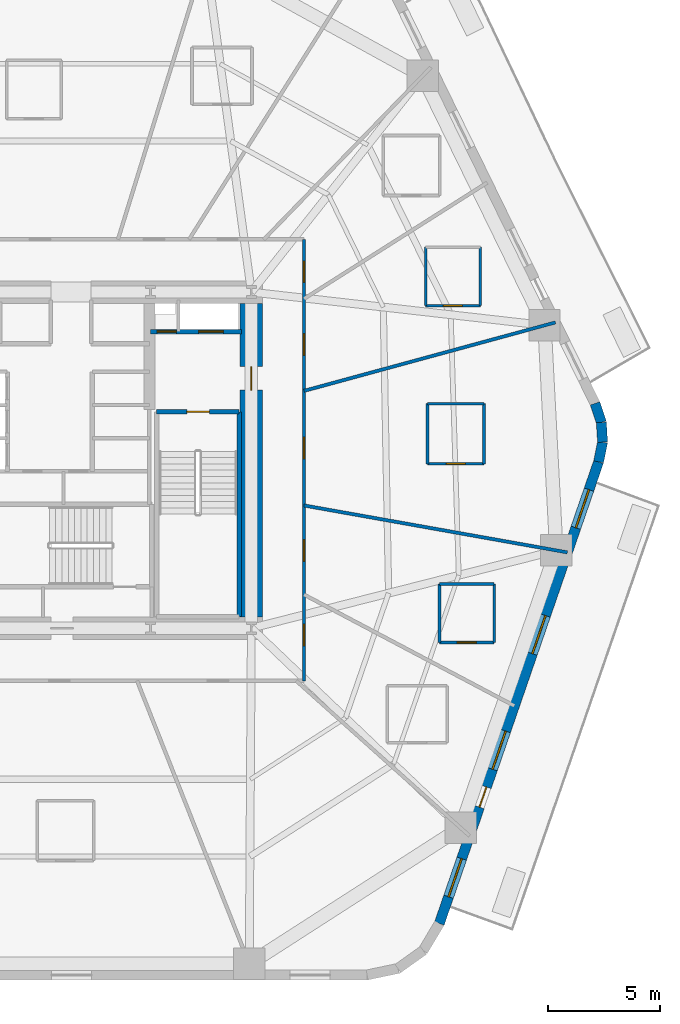
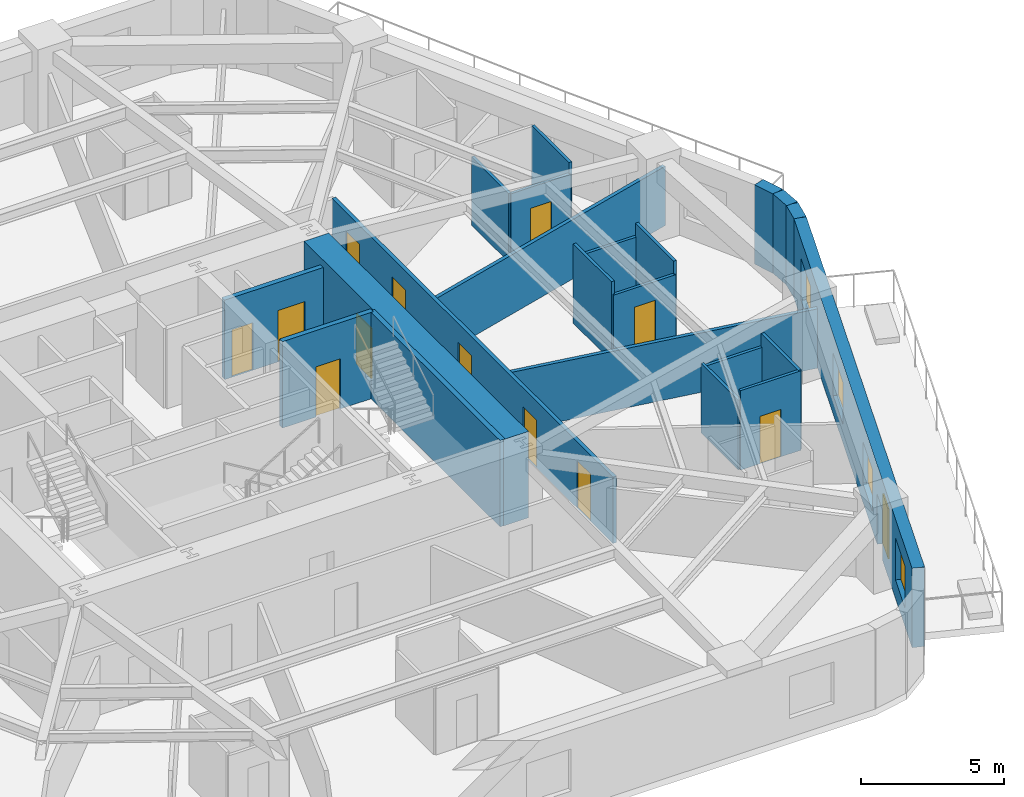
# One storey, part 5 of 10: 22 walls, 13 doors, 4 windows, 17 openings.
"""IFC4 building model written with IfcOpenShell, lengths in metres."""

from ifc_helpers import new_model, si_unit, direction, frame, frame_2d, origin, place, context, subcontext, project, spatial, rectangle, extrude, material, layer, layer_set, type_object, element, fill, save


model = new_model("IFC4")

# Units and contexts
model_context = context("Model", 3, precision=1e-05, world=origin(), true_north=direction((0.0, 1.0)))
body_context = subcontext(model_context, "Body", "Model", "MODEL_VIEW")
ifc_project = project(units=[si_unit("LENGTHUNIT", "METRE"), si_unit("AREAUNIT", "SQUARE_METRE"), si_unit("VOLUMEUNIT", "CUBIC_METRE"), si_unit("PLANEANGLEUNIT", "RADIAN"), si_unit("MASSUNIT", "GRAM", prefix="KILO")], contexts=[model_context])

# Site, building, storey
site_placement = place(None, origin())
site = spatial("IfcSite", under=ifc_project, at=site_placement, CompositionType="ELEMENT")
building_placement = place(site_placement, origin())
building = spatial("IfcBuilding", under=site, at=building_placement, Name="Kilnhurst Terrace Hotel", CompositionType="ELEMENT")
storey_placement = place(building_placement, frame((0.0, 0.0, 78.60009765625)))
storey = spatial("IfcBuildingStorey", under=building, at=storey_placement, Name="L18", CompositionType="ELEMENT", Elevation=78.60009765625)

# Walls
ifc_material_1 = material(Name="Precast concrete C40/50", Category="concrete")
ifc_layer_1 = layer(ifc_material_1, 0.449951171875, Name="Precast concrete C40/50")
ifc_layer_set_1 = layer_set([ifc_layer_1], Name="Precast concrete C40/50")
wall_type_1 = type_object("IfcWallType", Name="WL-BRK-450", PredefinedType="SOLIDWALL", material=ifc_layer_set_1)
wall_1_placement = place(storey_placement, frame((24.49560546875, -0.07666015625, 0.0), z_axis=(0.0, 0.0, 1.0), x_axis=(0.199570594521, 0.979883451132, 0.0)))
element("IfcWall", 1, at=wall_1_placement, inside=storey, type_object=wall_type_1, Name="L18 Rounded Corner Brick Wall C3.1", PredefinedType="SOLIDWALL", context=body_context, shape_type="SweptSolid", body=[
    extrude(rectangle(XDim=0.896728515625, YDim=0.449951171875, at=frame_2d((0.4482421875, 0.0))), origin(), (0.0, 0.0, 1.0), 3.39990234375),
])
wall_2_placement = place(storey_placement, frame((24.674560546875, 0.802001953125, 0.0), z_axis=(0.0, 0.0, 1.0), x_axis=(-0.061188874166, 0.998126205286, 0.0)))
element("IfcWall", 2, at=wall_2_placement, inside=storey, type_object=wall_type_1, Name="L18 Rounded Corner Brick Wall C3.2", PredefinedType="SOLIDWALL", context=body_context, shape_type="SweptSolid", body=[
    extrude(rectangle(XDim=0.8818359375, YDim=0.449951171875, at=frame_2d((0.44091796875, 0.0))), origin(), (0.0, 0.0, 1.0), 3.39990234375),
])
wall_3_placement = place(storey_placement, frame((24.62060546875, 1.68212890625, 0.0), z_axis=(0.0, 0.0, 1.0), x_axis=(-0.317697451681, 0.948192137278, 0.0)))
element("IfcWall", 3, at=wall_3_placement, inside=storey, type_object=wall_type_1, Name="L18 Rounded Corner Brick Wall C3.3", PredefinedType="SOLIDWALL", context=body_context, shape_type="SweptSolid", body=[
    extrude(rectangle(XDim=0.896728515625, YDim=0.449951171875, at=frame_2d((0.4482421875, 0.0))), origin(), (0.0, 0.0, 1.0), 3.39990234375),
])

# Wall, openings, door, windows
wall_4_placement = place(storey_placement, frame((17.3896484375, -20.678466796875, 0.0), z_axis=(0.0, 0.0, 1.0), x_axis=(0.326068018294, 0.945346310854, 0.0)))
wall_4 = element("IfcWall", 4, at=wall_4_placement, inside=storey, type_object=wall_type_1, Name="L18 Exterior Brick Facade Wall F2", PredefinedType="SOLIDWALL", context=body_context, shape_type="SweptSolid", body=[
    extrude(rectangle(XDim=21.79296875, YDim=0.449951171875, at=frame_2d((10.896484375, 0.0))), origin(), (0.0, 0.0, 1.0), 3.39990234375),
])
opening_1_placement = place(wall_4_placement, frame((5.492919921875, 0.0, 0.0)))
opening_1 = element("IfcOpeningElement", 5, at=opening_1_placement, cuts=wall_4, Name="Opening BD-950", PredefinedType="OPENING", context=body_context, shape_type="SweptSolid", body=[
    extrude(rectangle(XDim=0.949951171875, YDim=2.14990234375, at=frame_2d((0.47509765625, 1.074951171875))), frame((0.0, 0.23486328125, 0.0), z_axis=(0.0, -1.0, 0.0), x_axis=(1.0, 0.0, 0.0)), (0.0, 0.0, 1.0), 0.469970703125),
])
opening_2_placement = place(wall_4_placement, frame((1.260009765625, 0.0, 0.800048828125)))
opening_2 = element("IfcOpeningElement", 6, at=opening_2_placement, cuts=wall_4, Name="Opening W-01", PredefinedType="OPENING", context=body_context, shape_type="SweptSolid", body=[
    extrude(rectangle(XDim=1.800048828125, YDim=1.800048828125, at=frame_2d((0.89990234375, 0.89990234375))), frame((0.0, 0.23486328125, 0.0), z_axis=(0.0, -1.0, 0.0), x_axis=(1.0, 0.0, 0.0)), (0.0, 0.0, 1.0), 0.469970703125),
])
opening_3_placement = place(wall_4_placement, frame((7.282958984375, 0.0, 0.800048828125)))
opening_3 = element("IfcOpeningElement", 7, at=opening_3_placement, cuts=wall_4, Name="Opening W-01", PredefinedType="OPENING", context=body_context, shape_type="SweptSolid", body=[
    extrude(rectangle(XDim=1.800048828125, YDim=1.800048828125, at=frame_2d((0.89990234375, 0.89990234375))), frame((0.0, 0.23486328125, 0.0), z_axis=(0.0, -1.0, 0.0), x_axis=(1.0, 0.0, 0.0)), (0.0, 0.0, 1.0), 0.469970703125),
])
opening_4_placement = place(wall_4_placement, frame((12.736083984375, 0.0, 0.800048828125)))
opening_4 = element("IfcOpeningElement", 8, at=opening_4_placement, cuts=wall_4, Name="Opening W-01", PredefinedType="OPENING", context=body_context, shape_type="SweptSolid", body=[
    extrude(rectangle(XDim=1.800048828125, YDim=1.800048828125, at=frame_2d((0.89990234375, 0.89990234375))), frame((0.0, 0.23486328125, 0.0), z_axis=(0.0, -1.0, 0.0), x_axis=(1.0, 0.0, 0.0)), (0.0, 0.0, 1.0), 0.469970703125),
])
opening_5_placement = place(wall_4_placement, frame((18.679931640625, 0.0, 0.800048828125)))
opening_5 = element("IfcOpeningElement", 9, at=opening_5_placement, cuts=wall_4, Name="Opening W-01", PredefinedType="OPENING", context=body_context, shape_type="SweptSolid", body=[
    extrude(rectangle(XDim=1.800048828125, YDim=1.800048828125, at=frame_2d((0.89990234375, 0.89990234375))), frame((0.0, 0.23486328125, 0.0), z_axis=(0.0, -1.0, 0.0), x_axis=(1.0, 0.0, 0.0)), (0.0, 0.0, 1.0), 0.469970703125),
])
ifc_material_2 = material(Name="Thermally Broken Bronze Aluminium Alloy 6063-T6 and Laminated Glass", Category="aluminium")
door_type_1 = type_object("IfcDoorType", Name="DR-EXT-BAL-950", OperationType="NOTDEFINED", PredefinedType="DOOR", material=ifc_material_2)
door_1_placement = place(opening_1_placement, origin())
door_1 = element("IfcDoor", 10, at=door_1_placement, inside=storey, type_object=door_type_1, Name="L18 Planted Balcony Door BAL-L1A", OperationType="SINGLE_SWING_RIGHT", OverallHeight=2.14990234375, OverallWidth=0.949951171875, PredefinedType="DOOR", context=body_context, shape_type="SweptSolid", body=[
    extrude(rectangle(XDim=0.949951171875, YDim=2.14990234375, at=frame_2d((0.47509765625, 1.074951171875))), frame((0.0, 0.02490234375, 0.0), z_axis=(0.0, -1.0, 0.0), x_axis=(1.0, 0.0, 0.0)), (0.0, 0.0, 1.0), 0.050048828125),
])
fill(opening_1, door_1)
ifc_material_3 = material(Name="Thermally Broken Bronze Aluminium Alloy 6063-T6 and Low-E Glass", Category="aluminium")
window_type = type_object("IfcWindowType", Name="WIN-1800X1800", PartitioningType="SINGLE_PANEL", PredefinedType="WINDOW", material=ifc_material_3)
window_1_placement = place(opening_2_placement, origin())
window_1 = element("IfcWindow", 11, at=window_1_placement, inside=storey, type_object=window_type, Name="L18 Deep-Set Masonry Window F2.1", OverallHeight=1.800048828125, OverallWidth=1.800048828125, PartitioningType="SINGLE_PANEL", PredefinedType="WINDOW", context=body_context, shape_type="SweptSolid", body=[
    extrude(rectangle(XDim=1.800048828125, YDim=1.800048828125, at=frame_2d((0.89990234375, 0.89990234375))), frame((0.0, 0.030029296875, 0.0), z_axis=(0.0, -1.0, 0.0), x_axis=(1.0, 0.0, 0.0)), (0.0, 0.0, 1.0), 0.06005859375),
])
fill(opening_2, window_1)
window_2_placement = place(opening_3_placement, origin())
window_2 = element("IfcWindow", 12, at=window_2_placement, inside=storey, type_object=window_type, Name="L18 Deep-Set Masonry Window F2.2", OverallHeight=1.800048828125, OverallWidth=1.800048828125, PartitioningType="SINGLE_PANEL", PredefinedType="WINDOW", context=body_context, shape_type="SweptSolid", body=[
    extrude(rectangle(XDim=1.800048828125, YDim=1.800048828125, at=frame_2d((0.89990234375, 0.89990234375))), frame((0.0, 0.030029296875, 0.0), z_axis=(0.0, -1.0, 0.0), x_axis=(1.0, 0.0, 0.0)), (0.0, 0.0, 1.0), 0.06005859375),
])
fill(opening_3, window_2)
window_3_placement = place(opening_4_placement, origin())
window_3 = element("IfcWindow", 13, at=window_3_placement, inside=storey, type_object=window_type, Name="L18 Deep-Set Masonry Window F2.3", OverallHeight=1.800048828125, OverallWidth=1.800048828125, PartitioningType="SINGLE_PANEL", PredefinedType="WINDOW", context=body_context, shape_type="SweptSolid", body=[
    extrude(rectangle(XDim=1.800048828125, YDim=1.800048828125, at=frame_2d((0.89990234375, 0.89990234375))), frame((0.0, 0.030029296875, 0.0), z_axis=(0.0, -1.0, 0.0), x_axis=(1.0, 0.0, 0.0)), (0.0, 0.0, 1.0), 0.06005859375),
])
fill(opening_4, window_3)
window_4_placement = place(opening_5_placement, origin())
window_4 = element("IfcWindow", 14, at=window_4_placement, inside=storey, type_object=window_type, Name="L18 Deep-Set Masonry Window F2.4", OverallHeight=1.800048828125, OverallWidth=1.800048828125, PartitioningType="SINGLE_PANEL", PredefinedType="WINDOW", context=body_context, shape_type="SweptSolid", body=[
    extrude(rectangle(XDim=1.800048828125, YDim=1.800048828125, at=frame_2d((0.89990234375, 0.89990234375))), frame((0.0, 0.030029296875, 0.0), z_axis=(0.0, -1.0, 0.0), x_axis=(1.0, 0.0, 0.0)), (0.0, 0.0, 1.0), 0.06005859375),
])
fill(opening_5, window_4)

# Wall, openings, doors
ifc_material_4 = material(Name="Acoustic Double-Gypsum Corridor Partition Assembly")
ifc_layer_2 = layer(ifc_material_4, 0.14990234375, Name="Acoustic Double-Gypsum Corridor Partition Assembly")
ifc_layer_set_2 = layer_set([ifc_layer_2], Name="Acoustic Double-Gypsum Corridor Partition Assembly")
wall_type_2 = type_object("IfcWallType", Name="WL-COR-150", PredefinedType="PARTITIONING", material=ifc_layer_set_2)
wall_5_placement = place(storey_placement, frame((11.35009765625, 9.85009765625, 0.0), z_axis=(0.0, 0.0, 1.0), x_axis=(0.0, -1.0, 0.0)))
wall_5 = element("IfcWall", 15, at=wall_5_placement, inside=storey, type_object=wall_type_2, Name="L18 Interior Wall WL-L18-COR-03", PredefinedType="PARTITIONING", context=body_context, shape_type="SweptSolid", body=[
    extrude(rectangle(XDim=19.7001953125, YDim=0.14990234375, at=frame_2d((9.85009765625, 0.0))), origin(), (0.0, 0.0, 1.0), 2.83984375),
])
opening_6_placement = place(wall_5_placement, frame((4.2080078125, 0.0, 0.0)))
opening_6 = element("IfcOpeningElement", 16, at=opening_6_placement, cuts=wall_5, Name="Opening D-60B", PredefinedType="OPENING", context=body_context, shape_type="SweptSolid", body=[
    extrude(rectangle(XDim=0.949951171875, YDim=2.030029296875, at=frame_2d((0.47509765625, 1.01513671875))), frame((0.0, 0.0849609375, 0.0), z_axis=(0.0, -1.0, 0.0), x_axis=(1.0, 0.0, 0.0)), (0.0, 0.0, 1.0), 0.169921875),
])
opening_7_placement = place(wall_5_placement, frame((0.969970703125, 0.0, 0.0)))
opening_7 = element("IfcOpeningElement", 17, at=opening_7_placement, cuts=wall_5, Name="Opening D-60B", PredefinedType="OPENING", context=body_context, shape_type="SweptSolid", body=[
    extrude(rectangle(XDim=0.949951171875, YDim=2.030029296875, at=frame_2d((0.47509765625, 1.01513671875))), frame((0.0, 0.0849609375, 0.0), z_axis=(0.0, -1.0, 0.0), x_axis=(1.0, 0.0, 0.0)), (0.0, 0.0, 1.0), 0.169921875),
])
opening_8_placement = place(wall_5_placement, frame((17.180908203125, 0.0, 0.0)))
opening_8 = element("IfcOpeningElement", 18, at=opening_8_placement, cuts=wall_5, Name="Opening D-60B", PredefinedType="OPENING", context=body_context, shape_type="SweptSolid", body=[
    extrude(rectangle(XDim=0.949951171875, YDim=2.030029296875, at=frame_2d((0.47509765625, 1.01513671875))), frame((0.0, 0.0849609375, 0.0), z_axis=(0.0, -1.0, 0.0), x_axis=(1.0, 0.0, 0.0)), (0.0, 0.0, 1.0), 0.169921875),
])
opening_9_placement = place(wall_5_placement, frame((13.403076171875, 0.0, 0.0)))
opening_9 = element("IfcOpeningElement", 19, at=opening_9_placement, cuts=wall_5, Name="Opening D-60B", PredefinedType="OPENING", context=body_context, shape_type="SweptSolid", body=[
    extrude(rectangle(XDim=0.949951171875, YDim=2.030029296875, at=frame_2d((0.47509765625, 1.01513671875))), frame((0.0, 0.0849609375, 0.0), z_axis=(0.0, -1.0, 0.0), x_axis=(1.0, 0.0, 0.0)), (0.0, 0.0, 1.0), 0.169921875),
])
opening_10_placement = place(wall_5_placement, frame((8.837890625, 0.0, 0.0)))
opening_10 = element("IfcOpeningElement", 20, at=opening_10_placement, cuts=wall_5, Name="Opening D-60B", PredefinedType="OPENING", context=body_context, shape_type="SweptSolid", body=[
    extrude(rectangle(XDim=0.949951171875, YDim=2.030029296875, at=frame_2d((0.47509765625, 1.01513671875))), frame((0.0, 0.0849609375, 0.0), z_axis=(0.0, -1.0, 0.0), x_axis=(1.0, 0.0, 0.0)), (0.0, 0.0, 1.0), 0.169921875),
])
ifc_material_5 = material(Name="Acoustic Walnut Veneer Solid-Core Fire Door")
door_type_2 = type_object("IfcDoorType", Name="DR-FD60-950", OperationType="NOTDEFINED", PredefinedType="DOOR", material=ifc_material_5)
door_2_placement = place(opening_6_placement, origin())
door_2 = element("IfcDoor", 21, at=door_2_placement, inside=storey, type_object=door_type_2, Name="L18 Guest Room Entry Door 1", OperationType="SINGLE_SWING_LEFT", OverallHeight=2.030029296875, OverallWidth=0.949951171875, PredefinedType="DOOR", context=body_context, shape_type="SweptSolid", body=[
    extrude(rectangle(XDim=0.949951171875, YDim=2.030029296875, at=frame_2d((0.47509765625, 1.01513671875))), frame((0.0, 0.02490234375, 0.0), z_axis=(0.0, -1.0, 0.0), x_axis=(1.0, 0.0, 0.0)), (0.0, 0.0, 1.0), 0.050048828125),
])
fill(opening_6, door_2)
door_3_placement = place(opening_7_placement, origin())
door_3 = element("IfcDoor", 22, at=door_3_placement, inside=storey, type_object=door_type_2, Name="L18 Guest Room Entry Door 2", OperationType="SINGLE_SWING_RIGHT", OverallHeight=2.030029296875, OverallWidth=0.949951171875, PredefinedType="DOOR", context=body_context, shape_type="SweptSolid", body=[
    extrude(rectangle(XDim=0.949951171875, YDim=2.030029296875, at=frame_2d((0.47509765625, 1.01513671875))), frame((0.0, 0.02490234375, 0.0), z_axis=(0.0, -1.0, 0.0), x_axis=(1.0, 0.0, 0.0)), (0.0, 0.0, 1.0), 0.050048828125),
])
fill(opening_7, door_3)
door_4_placement = place(opening_8_placement, origin())
door_4 = element("IfcDoor", 23, at=door_4_placement, inside=storey, type_object=door_type_2, Name="L18 Guest Room Entry Door 16", OperationType="SINGLE_SWING_RIGHT", OverallHeight=2.030029296875, OverallWidth=0.949951171875, PredefinedType="DOOR", context=body_context, shape_type="SweptSolid", body=[
    extrude(rectangle(XDim=0.949951171875, YDim=2.030029296875, at=frame_2d((0.47509765625, 1.01513671875))), frame((0.0, 0.02490234375, 0.0), z_axis=(0.0, -1.0, 0.0), x_axis=(1.0, 0.0, 0.0)), (0.0, 0.0, 1.0), 0.050048828125),
])
fill(opening_8, door_4)
door_5_placement = place(opening_9_placement, origin())
door_5 = element("IfcDoor", 24, at=door_5_placement, inside=storey, type_object=door_type_2, Name="L18 Guest Room Entry Door 17", OperationType="SINGLE_SWING_LEFT", OverallHeight=2.030029296875, OverallWidth=0.949951171875, PredefinedType="DOOR", context=body_context, shape_type="SweptSolid", body=[
    extrude(rectangle(XDim=0.949951171875, YDim=2.030029296875, at=frame_2d((0.47509765625, 1.01513671875))), frame((0.0, 0.02490234375, 0.0), z_axis=(0.0, -1.0, 0.0), x_axis=(1.0, 0.0, 0.0)), (0.0, 0.0, 1.0), 0.050048828125),
])
fill(opening_9, door_5)
door_6_placement = place(opening_10_placement, origin())
door_6 = element("IfcDoor", 25, at=door_6_placement, inside=storey, type_object=door_type_2, Name="L18 Executive Suite Entry Door 18", OperationType="SINGLE_SWING_RIGHT", OverallHeight=2.030029296875, OverallWidth=0.949951171875, PredefinedType="DOOR", context=body_context, shape_type="SweptSolid", body=[
    extrude(rectangle(XDim=0.949951171875, YDim=2.030029296875, at=frame_2d((0.47509765625, 1.01513671875))), frame((0.0, 0.02490234375, 0.0), z_axis=(0.0, -1.0, 0.0), x_axis=(1.0, 0.0, 0.0)), (0.0, 0.0, 1.0), 0.050048828125),
])
fill(opening_10, door_6)

# Wall, opening, door
ifc_material_6 = material(Name="Concrete C80/95", Category="concrete")
ifc_layer_3 = layer(ifc_material_6, 1.0, Name="Concrete C80/95")
ifc_layer_set_3 = layer_set([ifc_layer_3], Name="Concrete C80/95")
wall_type_3 = type_object("IfcWallType", Name="WL-CORE-1000", PredefinedType="SHEAR", material=ifc_layer_set_3)
wall_6_placement = place(storey_placement, frame((9.0, -7.0, 0.0), z_axis=(0.0, 0.0, 1.0), x_axis=(0.0, 1.0, 0.0)))
wall_6 = element("IfcWall", 26, at=wall_6_placement, inside=storey, type_object=wall_type_3, Name="L18 Core East Shear Wall", PredefinedType="SHEAR", context=body_context, shape_type="SweptSolid", body=[
    extrude(rectangle(XDim=14.0, YDim=1.0, at=frame_2d((7.0, 0.0))), origin(), (0.0, 0.0, 1.0), 3.699951171875),
])
opening_11_placement = place(wall_6_placement, frame((10.125, 0.0, 0.0)))
opening_11 = element("IfcOpeningElement", 27, at=opening_11_placement, cuts=wall_6, Name="Opening D-90A", PredefinedType="OPENING", context=body_context, shape_type="SweptSolid", body=[
    extrude(rectangle(XDim=1.050048828125, YDim=2.14990234375, at=frame_2d((0.52490234375, 1.074951171875))), frame((0.0, 0.510009765625, 0.0), z_axis=(0.0, -1.0, 0.0), x_axis=(1.0, 0.0, 0.0)), (0.0, 0.0, 1.0), 1.02001953125),
])
ifc_material_7 = material(Name="Painted Hollow Metal Steel ASTM A36 Fire Door", Category="steel")
door_type_3 = type_object("IfcDoorType", Name="DR-FD90-1050", OperationType="NOTDEFINED", PredefinedType="DOOR", material=ifc_material_7)
door_7_placement = place(opening_11_placement, origin())
door_7 = element("IfcDoor", 28, at=door_7_placement, inside=storey, type_object=door_type_3, Name="L18 East Firefighting Lobby Door", OperationType="SINGLE_SWING_LEFT", OverallHeight=2.14990234375, OverallWidth=1.050048828125, PredefinedType="DOOR", context=body_context, shape_type="SweptSolid", body=[
    extrude(rectangle(XDim=1.050048828125, YDim=2.14990234375, at=frame_2d((0.52490234375, 1.074951171875))), frame((0.0, 0.02490234375, 0.0), z_axis=(0.0, -1.0, 0.0), x_axis=(1.0, 0.0, 0.0)), (0.0, 0.0, 1.0), 0.050048828125),
])
fill(opening_11, door_7)

# Walls
ifc_material_8 = material(Name="STC-58 Acoustic Twin-Frame Guestroom Demising Partition")
ifc_layer_4 = layer(ifc_material_8, 0.14990234375, Name="STC-58 Acoustic Twin-Frame Guestroom Demising Partition")
ifc_layer_set_4 = layer_set([ifc_layer_4], Name="STC-58 Acoustic Twin-Frame Guestroom Demising Partition")
wall_type_4 = type_object("IfcWallType", Name="WL-DEM-150", PredefinedType="PARTITIONING", material=ifc_layer_set_4)
wall_7_placement = place(storey_placement, frame((11.35009765625, 3.0908203125, 0.0), z_axis=(0.0, 0.0, 1.0), x_axis=(0.964859685283, 0.262765651704, 0.0)))
element("IfcWall", 29, at=wall_7_placement, inside=storey, type_object=wall_type_4, Name="L18 Interior Wall WL-L18-DEM-COL01-01-1", PredefinedType="PARTITIONING", context=body_context, shape_type="SweptSolid", body=[
    extrude(rectangle(XDim=11.62890625, YDim=0.14990234375, at=frame_2d((5.814453125, 0.0))), origin(), (0.0, 0.0, 1.0), 2.539794921875),
])
wall_8_placement = place(storey_placement, frame((11.35009765625, -2.022705078125, 0.0), z_axis=(0.0, 0.0, 1.0), x_axis=(0.984493741877, -0.17541970301, 0.0)))
element("IfcWall", 30, at=wall_8_placement, inside=storey, type_object=wall_type_4, Name="L18 Interior Wall WL-L18-DEM-COL12-18-1", PredefinedType="PARTITIONING", context=body_context, shape_type="SweptSolid", body=[
    extrude(rectangle(XDim=11.93701171875, YDim=0.14990234375, at=frame_2d((5.968505859375, 0.0))), origin(), (0.0, 0.0, 1.0), 2.539794921875),
])

# Wall, opening, door
ifc_material_9 = material(Name="120 mm Moisture-Resistant Tile-Backed Bathroom Partition")
ifc_layer_5 = layer(ifc_material_9, 0.1201171875, Name="120 mm Moisture-Resistant Tile-Backed Bathroom Partition")
ifc_layer_set_5 = layer_set([ifc_layer_5], Name="120 mm Moisture-Resistant Tile-Backed Bathroom Partition")
wall_type_5 = type_object("IfcWallType", Name="WL-PART-120", PredefinedType="PARTITIONING", material=ifc_layer_set_5)
wall_9_placement = place(storey_placement, frame((16.77587890625, 6.89208984375, 0.0), z_axis=(0.0, 0.0, 1.0), x_axis=(1.0, 0.0, 0.0)))
wall_9 = element("IfcWall", 31, at=wall_9_placement, inside=storey, type_object=wall_type_5, Name="L18 Interior Wall WL-L18-BTH-01-1", PredefinedType="PARTITIONING", context=body_context, shape_type="SweptSolid", body=[
    extrude(rectangle(XDim=2.440185546875, YDim=0.1201171875, at=frame_2d((1.22021484375, 0.0))), origin(), (0.0, 0.0, 1.0), 2.926513671875),
])
opening_12_placement = place(wall_9_placement, frame((0.794921875, 0.0, 0.0)))
opening_12 = element("IfcOpeningElement", 32, at=opening_12_placement, cuts=wall_9, Name="Opening D-08A", PredefinedType="OPENING", context=body_context, shape_type="SweptSolid", body=[
    extrude(rectangle(XDim=0.85009765625, YDim=2.030029296875, at=frame_2d((0.425048828125, 1.01513671875))), frame((0.0, 0.070068359375, 0.0), z_axis=(0.0, -1.0, 0.0), x_axis=(1.0, 0.0, 0.0)), (0.0, 0.0, 1.0), 0.14013671875),
])
ifc_material_10 = material(Name="Moisture-Resistant Lacquered En-suite Bathroom Door")
door_type_4 = type_object("IfcDoorType", Name="DR-INT-850", OperationType="NOTDEFINED", PredefinedType="DOOR", material=ifc_material_10)
door_8_placement = place(opening_12_placement, origin())
door_8 = element("IfcDoor", 33, at=door_8_placement, inside=storey, type_object=door_type_4, Name="L18 En-suite Bathroom Door 1", OperationType="SINGLE_SWING_RIGHT", OverallHeight=2.030029296875, OverallWidth=0.85009765625, PredefinedType="DOOR", context=body_context, shape_type="SweptSolid", body=[
    extrude(rectangle(XDim=0.85009765625, YDim=2.030029296875, at=frame_2d((0.425048828125, 1.01513671875))), frame((0.0, 0.02490234375, 0.0), z_axis=(0.0, -1.0, 0.0), x_axis=(1.0, 0.0, 0.0)), (0.0, 0.0, 1.0), 0.050048828125),
])
fill(opening_12, door_8)

# Walls
wall_10_placement = place(storey_placement, frame((19.216064453125, 6.89208984375, 0.0), z_axis=(0.0, 0.0, 1.0), x_axis=(0.0, 1.0, 0.0)))
element("IfcWall", 34, at=wall_10_placement, inside=storey, type_object=wall_type_5, Name="L18 Interior Wall WL-L18-BTH-01-2", PredefinedType="PARTITIONING", context=body_context, shape_type="SweptSolid", body=[
    extrude(rectangle(XDim=2.60986328125, YDim=0.1201171875, at=frame_2d((1.304931640625, 0.0))), origin(), (0.0, 0.0, 1.0), 3.39990234375),
])
wall_11_placement = place(storey_placement, frame((16.77587890625, 9.501953125, 0.0), z_axis=(0.0, 0.0, 1.0), x_axis=(0.0, -1.0, 0.0)))
element("IfcWall", 35, at=wall_11_placement, inside=storey, type_object=wall_type_5, Name="L18 Interior Wall WL-L18-BTH-01-4", PredefinedType="PARTITIONING", context=body_context, shape_type="SweptSolid", body=[
    extrude(rectangle(XDim=2.60986328125, YDim=0.1201171875, at=frame_2d((1.304931640625, 0.0))), origin(), (0.0, 0.0, 1.0), 2.926513671875),
])

# Wall, opening, door
wall_12_placement = place(storey_placement, frame((17.39404296875, -8.137939453125, 0.0), z_axis=(0.0, 0.0, 1.0), x_axis=(1.0, 0.0, 0.0)))
wall_12 = element("IfcWall", 36, at=wall_12_placement, inside=storey, type_object=wall_type_5, Name="L18 Interior Wall WL-L18-BTH-17-1", PredefinedType="PARTITIONING", context=body_context, shape_type="SweptSolid", body=[
    extrude(rectangle(XDim=2.43994140625, YDim=0.1201171875, at=frame_2d((1.219970703125, 0.0))), origin(), (0.0, 0.0, 1.0), 3.39990234375),
])
opening_13_placement = place(wall_12_placement, frame((0.794921875, 0.0, 0.0)))
opening_13 = element("IfcOpeningElement", 37, at=opening_13_placement, cuts=wall_12, Name="Opening D-08A", PredefinedType="OPENING", context=body_context, shape_type="SweptSolid", body=[
    extrude(rectangle(XDim=0.85009765625, YDim=2.030029296875, at=frame_2d((0.425048828125, 1.01513671875))), frame((0.0, 0.070068359375, 0.0), z_axis=(0.0, -1.0, 0.0), x_axis=(1.0, 0.0, 0.0)), (0.0, 0.0, 1.0), 0.14013671875),
])
door_9_placement = place(opening_13_placement, origin())
door_9 = element("IfcDoor", 38, at=door_9_placement, inside=storey, type_object=door_type_4, Name="L18 En-suite Bathroom Door 17", OperationType="SINGLE_SWING_RIGHT", OverallHeight=2.030029296875, OverallWidth=0.85009765625, PredefinedType="DOOR", context=body_context, shape_type="SweptSolid", body=[
    extrude(rectangle(XDim=0.85009765625, YDim=2.030029296875, at=frame_2d((0.425048828125, 1.01513671875))), frame((0.0, 0.02490234375, 0.0), z_axis=(0.0, -1.0, 0.0), x_axis=(1.0, 0.0, 0.0)), (0.0, 0.0, 1.0), 0.050048828125),
])
fill(opening_13, door_9)

# Walls
wall_13_placement = place(storey_placement, frame((19.833984375, -8.137939453125, 0.0), z_axis=(0.0, 0.0, 1.0), x_axis=(0.0, 1.0, 0.0)))
element("IfcWall", 39, at=wall_13_placement, inside=storey, type_object=wall_type_5, Name="L18 Interior Wall WL-L18-BTH-17-2", PredefinedType="PARTITIONING", context=body_context, shape_type="SweptSolid", body=[
    extrude(rectangle(XDim=2.60986328125, YDim=0.1201171875, at=frame_2d((1.304931640625, 0.0))), origin(), (0.0, 0.0, 1.0), 3.39990234375),
])
wall_14_placement = place(storey_placement, frame((19.833984375, -5.528076171875, 0.0), z_axis=(0.0, 0.0, 1.0), x_axis=(-1.0, 0.0, 0.0)))
element("IfcWall", 40, at=wall_14_placement, inside=storey, type_object=wall_type_5, Name="L18 Interior Wall WL-L18-BTH-17-3", PredefinedType="PARTITIONING", context=body_context, shape_type="SweptSolid", body=[
    extrude(rectangle(XDim=2.43994140625, YDim=0.1201171875, at=frame_2d((1.219970703125, 0.0))), origin(), (0.0, 0.0, 1.0), 2.83984375),
])
wall_15_placement = place(storey_placement, frame((17.39404296875, -5.528076171875, 0.0), z_axis=(0.0, 0.0, 1.0), x_axis=(0.0, -1.0, 0.0)))
element("IfcWall", 41, at=wall_15_placement, inside=storey, type_object=wall_type_5, Name="L18 Interior Wall WL-L18-BTH-17-4", PredefinedType="PARTITIONING", context=body_context, shape_type="SweptSolid", body=[
    extrude(rectangle(XDim=2.60986328125, YDim=0.1201171875, at=frame_2d((1.304931640625, 0.0))), origin(), (0.0, 0.0, 1.0), 2.97216796875),
])

# Wall, opening, door
wall_16_placement = place(storey_placement, frame((16.864990234375, -0.162109375, 0.0), z_axis=(0.0, 0.0, 1.0), x_axis=(1.0, 0.0, 0.0)))
wall_16 = element("IfcWall", 42, at=wall_16_placement, inside=storey, type_object=wall_type_5, Name="L18 Interior Wall WL-L18-BTH-18-1", PredefinedType="PARTITIONING", context=body_context, shape_type="SweptSolid", body=[
    extrude(rectangle(XDim=2.52001953125, YDim=0.1201171875, at=frame_2d((1.260009765625, 0.0))), origin(), (0.0, 0.0, 1.0), 2.84033203125),
])
opening_14_placement = place(wall_16_placement, frame((0.8349609375, 0.0, 0.0)))
opening_14 = element("IfcOpeningElement", 43, at=opening_14_placement, cuts=wall_16, Name="Opening D-08A", PredefinedType="OPENING", context=body_context, shape_type="SweptSolid", body=[
    extrude(rectangle(XDim=0.85009765625, YDim=2.030029296875, at=frame_2d((0.425048828125, 1.01513671875))), frame((0.0, 0.070068359375, 0.0), z_axis=(0.0, -1.0, 0.0), x_axis=(1.0, 0.0, 0.0)), (0.0, 0.0, 1.0), 0.14013671875),
])
door_10_placement = place(opening_14_placement, origin())
door_10 = element("IfcDoor", 44, at=door_10_placement, inside=storey, type_object=door_type_4, Name="L18 En-suite Bathroom Door 18", OperationType="SINGLE_SWING_LEFT", OverallHeight=2.030029296875, OverallWidth=0.85009765625, PredefinedType="DOOR", context=body_context, shape_type="SweptSolid", body=[
    extrude(rectangle(XDim=0.85009765625, YDim=2.030029296875, at=frame_2d((0.425048828125, 1.01513671875))), frame((0.0, 0.02490234375, 0.0), z_axis=(0.0, -1.0, 0.0), x_axis=(1.0, 0.0, 0.0)), (0.0, 0.0, 1.0), 0.050048828125),
])
fill(opening_14, door_10)

# Walls
wall_17_placement = place(storey_placement, frame((19.385009765625, -0.162109375, 0.0), z_axis=(0.0, 0.0, 1.0), x_axis=(0.0, 1.0, 0.0)))
element("IfcWall", 45, at=wall_17_placement, inside=storey, type_object=wall_type_5, Name="L18 Interior Wall WL-L18-BTH-18-2", PredefinedType="PARTITIONING", context=body_context, shape_type="SweptSolid", body=[
    extrude(rectangle(XDim=2.68017578125, YDim=0.1201171875, at=frame_2d((1.340087890625, 0.0))), origin(), (0.0, 0.0, 1.0), 3.39990234375),
])
wall_18_placement = place(storey_placement, frame((19.385009765625, 2.51806640625, 0.0), z_axis=(0.0, 0.0, 1.0), x_axis=(-1.0, 0.0, 0.0)))
element("IfcWall", 46, at=wall_18_placement, inside=storey, type_object=wall_type_5, Name="L18 Interior Wall WL-L18-BTH-18-3", PredefinedType="PARTITIONING", context=body_context, shape_type="SweptSolid", body=[
    extrude(rectangle(XDim=2.52001953125, YDim=0.1201171875, at=frame_2d((1.260009765625, 0.0))), origin(), (0.0, 0.0, 1.0), 2.84033203125),
])
wall_19_placement = place(storey_placement, frame((16.864990234375, 2.51806640625, 0.0), z_axis=(0.0, 0.0, 1.0), x_axis=(0.0, -1.0, 0.0)))
element("IfcWall", 47, at=wall_19_placement, inside=storey, type_object=wall_type_5, Name="L18 Interior Wall WL-L18-BTH-18-4", PredefinedType="PARTITIONING", context=body_context, shape_type="SweptSolid", body=[
    extrude(rectangle(XDim=2.68017578125, YDim=0.1201171875, at=frame_2d((1.340087890625, 0.0))), origin(), (0.0, 0.0, 1.0), 3.39990234375),
])

# Wall, openings, doors
ifc_material_11 = material(Name="Autoclaved Aerated Concrete C30/37 and Gypsum Shaft Assembly", Category="concrete")
ifc_layer_6 = layer(ifc_material_11, 0.199951171875, Name="Autoclaved Aerated Concrete C30/37 and Gypsum Shaft Assembly")
ifc_layer_set_6 = layer_set([ifc_layer_6], Name="Autoclaved Aerated Concrete C30/37 and Gypsum Shaft Assembly")
wall_type_6 = type_object("IfcWallType", Name="WL-SHAFT-200", PredefinedType="PARTITIONING", material=ifc_layer_set_6)
wall_20_placement = place(storey_placement, frame((4.5, 5.739990234375, 0.0), z_axis=(0.0, 0.0, 1.0), x_axis=(1.0, 0.0, 0.0)))
wall_20 = element("IfcWall", 48, at=wall_20_placement, inside=storey, type_object=wall_type_6, Name="L18 Interior Wall WL-L18-FSAE2-S", PredefinedType="PARTITIONING", context=body_context, shape_type="SweptSolid", body=[
    extrude(rectangle(XDim=4.050048828125, YDim=0.199951171875, at=frame_2d((2.02490234375, 0.0))), origin(), (0.0, 0.0, 1.0), 3.39990234375),
])
opening_15_placement = place(wall_20_placement, frame((0.300048828125, 0.0, 0.0)))
opening_15 = element("IfcOpeningElement", 49, at=opening_15_placement, cuts=wall_20, Name="Opening D-60D", PredefinedType="OPENING", context=body_context, shape_type="SweptSolid", body=[
    extrude(rectangle(XDim=0.85009765625, YDim=2.030029296875, at=frame_2d((0.425048828125, 1.01513671875))), frame((0.0, 0.10986328125, 0.0), z_axis=(0.0, -1.0, 0.0), x_axis=(1.0, 0.0, 0.0)), (0.0, 0.0, 1.0), 0.219970703125),
])
opening_16_placement = place(wall_20_placement, frame((2.14990234375, 0.0, 0.0)))
opening_16 = element("IfcOpeningElement", 50, at=opening_16_placement, cuts=wall_20, Name="Opening LD-F2", PredefinedType="OPENING", context=body_context, shape_type="SweptSolid", body=[
    extrude(rectangle(XDim=1.10009765625, YDim=2.199951171875, at=frame_2d((0.550048828125, 1.10009765625))), frame((0.0, 0.10986328125, 0.0), z_axis=(0.0, -1.0, 0.0), x_axis=(1.0, 0.0, 0.0)), (0.0, 0.0, 1.0), 0.219970703125),
])
ifc_material_12 = material(Name="Painted Hollow Metal Steel ASTM A36 Riser Door", Category="steel")
door_type_5 = type_object("IfcDoorType", Name="DR-FD60-850", OperationType="NOTDEFINED", PredefinedType="DOOR", material=ifc_material_12)
door_11_placement = place(opening_15_placement, origin())
door_11 = element("IfcDoor", 51, at=door_11_placement, inside=storey, type_object=door_type_5, Name="L18 Telecom Riser Door", OperationType="SINGLE_SWING_RIGHT", OverallHeight=2.030029296875, OverallWidth=0.85009765625, PredefinedType="DOOR", context=body_context, shape_type="SweptSolid", body=[
    extrude(rectangle(XDim=0.85009765625, YDim=2.030029296875, at=frame_2d((0.425048828125, 1.01513671875))), frame((0.0, 0.02490234375, 0.0), z_axis=(0.0, -1.0, 0.0), x_axis=(1.0, 0.0, 0.0)), (0.0, 0.0, 1.0), 0.050048828125),
])
fill(opening_15, door_11)
ifc_material_13 = material(Name="Bronze-Anodized Stainless Steel AISI 316L Sliding Door", Category="steel")
door_type_6 = type_object("IfcDoorType", Name="DR-LIFT-1100", OperationType="NOTDEFINED", PredefinedType="DOOR", material=ifc_material_13)
door_12_placement = place(opening_16_placement, origin())
door_12 = element("IfcDoor", 52, at=door_12_placement, inside=storey, type_object=door_type_6, Name="L18 FSAE-2 Landing Door", OperationType="SLIDING_TO_RIGHT", OverallHeight=2.199951171875, OverallWidth=1.10009765625, PredefinedType="DOOR", context=body_context, shape_type="SweptSolid", body=[
    extrude(rectangle(XDim=1.10009765625, YDim=2.199951171875, at=frame_2d((0.550048828125, 1.10009765625))), frame((0.0, 0.02490234375, 0.0), z_axis=(0.0, -1.0, 0.0), x_axis=(1.0, 0.0, 0.0)), (0.0, 0.0, 1.0), 0.050048828125),
])
fill(opening_16, door_12)

# Wall
ifc_material_14 = material(Name="Concrete C50/60", Category="concrete")
ifc_layer_7 = layer(ifc_material_14, 0.199951171875, Name="Concrete C50/60")
ifc_layer_set_7 = layer_set([ifc_layer_7], Name="Concrete C50/60")
wall_type_7 = type_object("IfcWallType", Name="WL-STAIR-RC-200", PredefinedType="SHEAR", material=ifc_layer_set_7)
wall_21_placement = place(storey_placement, frame((8.4580078125, -6.985107421875, 0.0), z_axis=(0.0, 0.0, 1.0), x_axis=(0.0, 1.0, 0.0)))
element("IfcWall", 53, at=wall_21_placement, inside=storey, type_object=wall_type_7, Name="L18 Structural Stair Shaft Wall WL-L18-ST2-E", PredefinedType="SHEAR", context=body_context, shape_type="SweptSolid", body=[
    extrude(rectangle(XDim=9.14306640625, YDim=0.199951171875, at=frame_2d((4.571533203125, 0.0))), origin(), (0.0, 0.0, 1.0), 3.699951171875),
])

# Wall, opening, door
wall_22_placement = place(storey_placement, frame((4.77197265625, 2.157958984375, 0.0), z_axis=(0.0, 0.0, 1.0), x_axis=(1.0, 0.0, 0.0)))
wall_22 = element("IfcWall", 54, at=wall_22_placement, inside=storey, type_object=wall_type_7, Name="L18 Structural Stair Shaft Wall WL-L18-ST2-N", PredefinedType="SHEAR", context=body_context, shape_type="SweptSolid", body=[
    extrude(rectangle(XDim=3.68603515625, YDim=0.199951171875, at=frame_2d((1.843017578125, 0.0))), origin(), (0.0, 0.0, 1.0), 3.699951171875),
])
opening_17_placement = place(wall_22_placement, frame((1.35009765625, 0.0, 0.0)))
opening_17 = element("IfcOpeningElement", 55, at=opening_17_placement, cuts=wall_22, Name="Opening D-90B", PredefinedType="OPENING", context=body_context, shape_type="SweptSolid", body=[
    extrude(rectangle(XDim=1.0, YDim=2.14990234375, at=frame_2d((0.5, 1.074951171875))), frame((0.0, 0.10986328125, 0.0), z_axis=(0.0, -1.0, 0.0), x_axis=(1.0, 0.0, 0.0)), (0.0, 0.0, 1.0), 0.219970703125),
])
door_type_7 = type_object("IfcDoorType", Name="DR-FD90-1000", OperationType="NOTDEFINED", PredefinedType="DOOR", material=ifc_material_7)
door_13_placement = place(opening_17_placement, origin())
door_13 = element("IfcDoor", 56, at=door_13_placement, inside=storey, type_object=door_type_7, Name="L18 Stair ST-2 Door", OperationType="SINGLE_SWING_RIGHT", OverallHeight=2.14990234375, OverallWidth=1.0, PredefinedType="DOOR", context=body_context, shape_type="SweptSolid", body=[
    extrude(rectangle(XDim=1.0, YDim=2.14990234375, at=frame_2d((0.5, 1.074951171875))), frame((0.0, 0.02490234375, 0.0), z_axis=(0.0, -1.0, 0.0), x_axis=(1.0, 0.0, 0.0)), (0.0, 0.0, 1.0), 0.050048828125),
])
fill(opening_17, door_13)

save(model, "model.ifc")
